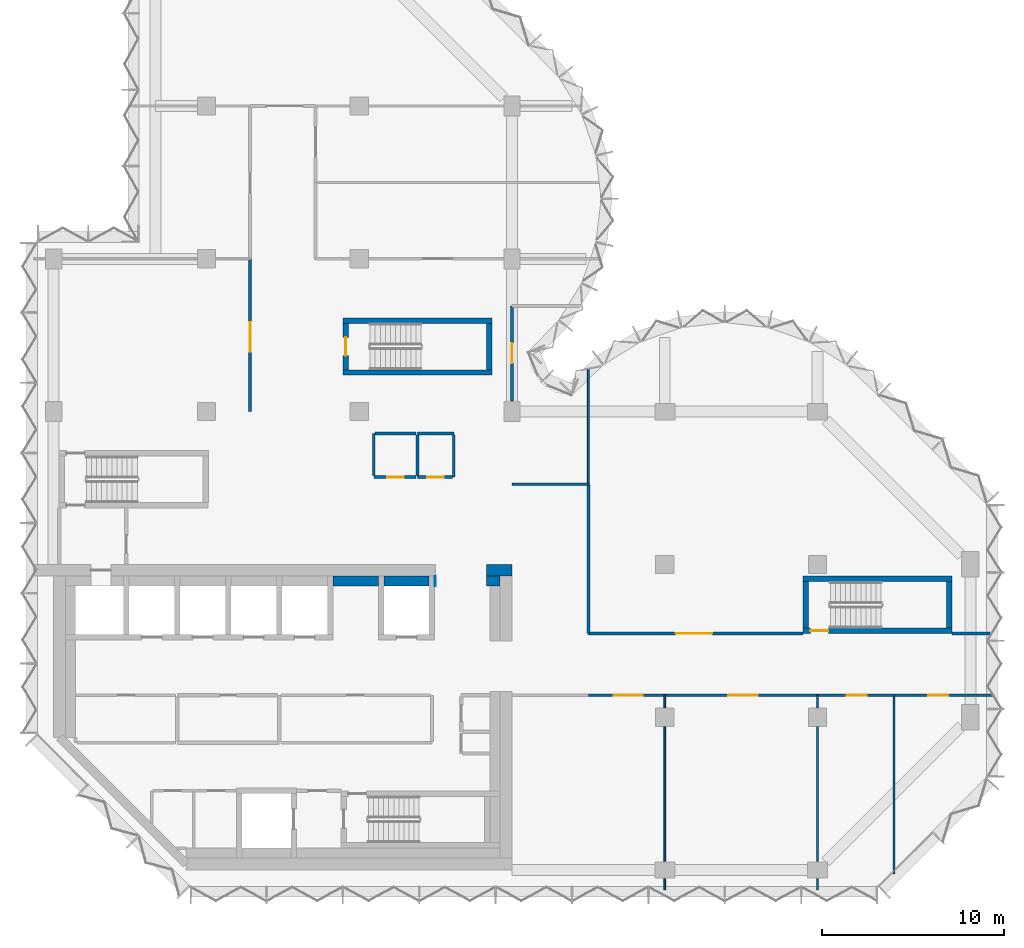
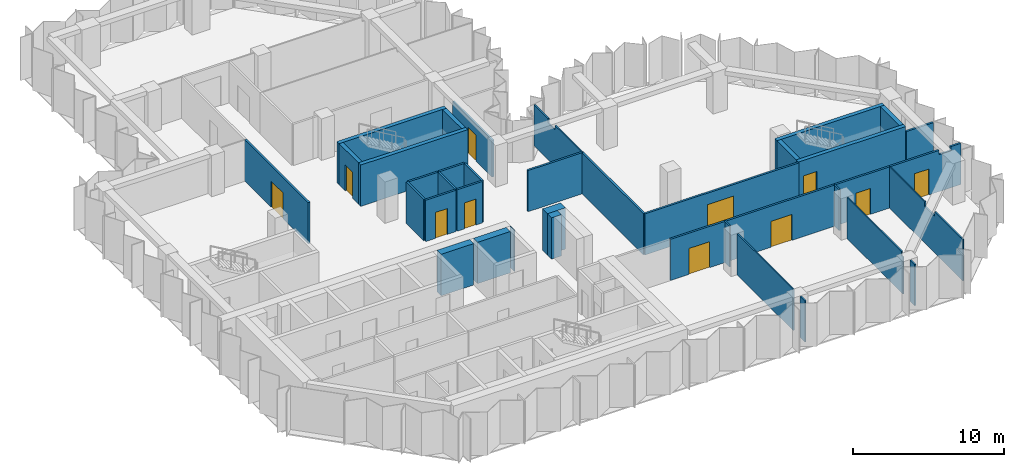
# One storey, part 6 of 9: 38 walls, 11 doors, 11 openings.
"""IFC4 building model written with IfcOpenShell, lengths in metres."""

from ifc_helpers import new_model, si_unit, direction, frame, frame_2d, origin, place, context, subcontext, project, spatial, polyline, rectangle, outline, extrude, material, layer, layer_set, type_object, element, fill, save


model = new_model("IFC4")

# Units and contexts
model_context = context("Model", 3, precision=1e-05, world=origin(), true_north=direction((0.0, 1.0)))
body_context = subcontext(model_context, "Body", "Model", "MODEL_VIEW")
ifc_project = project(units=[si_unit("LENGTHUNIT", "METRE"), si_unit("AREAUNIT", "SQUARE_METRE"), si_unit("VOLUMEUNIT", "CUBIC_METRE"), si_unit("PLANEANGLEUNIT", "RADIAN"), si_unit("MASSUNIT", "GRAM", prefix="KILO")], contexts=[model_context])

# Site, building, storey
site_placement = place(None, origin())
site = spatial("IfcSite", under=ifc_project, at=site_placement, CompositionType="ELEMENT")
building_placement = place(site_placement, origin())
building = spatial("IfcBuilding", under=site, at=building_placement, Name="Brevane Broadcast Tower", CompositionType="ELEMENT")
storey_placement = place(building_placement, frame((0.0, 0.0, 188.39990234375)))
storey = spatial("IfcBuildingStorey", under=building, at=storey_placement, Name="L47", CompositionType="ELEMENT", Elevation=188.39990234375)

# Walls
ifc_material_1 = material(Name="Concrete C32/40", Category="concrete")
ifc_layer_1 = layer(ifc_material_1, 0.550048828125)
ifc_layer_set_1 = layer_set([ifc_layer_1], Name="Core chase wall 550 mm")
wall_type_1 = type_object("IfcWallType", Name="Core chase wall 550 mm", PredefinedType="PARTITIONING", material=ifc_layer_set_1)
wall_1_placement = place(storey_placement, frame((23.800048828125, 15.875, 0.0), z_axis=(0.0, 0.0, 1.0), x_axis=(1.0, 0.0, 0.0)))
element("IfcWall", 1, at=wall_1_placement, inside=storey, type_object=wall_type_1, Name="L47 chase wall LN2", PredefinedType="PARTITIONING", context=body_context, shape_type="SweptSolid", body=[
    extrude(rectangle(XDim=0.75, YDim=0.550048828125, at=frame_2d((0.375, 0.0))), origin(), (0.0, 0.0, 1.0), 3.35009765625),
])
for number, where, z_axis, x_axis, name in (
    (2, (15.35009765625, 15.875, 0.0), (0.0, 0.0, 1.0), (1.0, 0.0, 0.0), "L47 chase wall LN1-2-2-2-2-2-1"),
    (3, (18.14990234375, 15.875, 0.0), (0.0, 0.0, 1.0), (1.0, 0.0, 0.0), "L47 chase wall LN1-2-2-2-2-2-2-1"),
):
    element("IfcWall", number, at=place(storey_placement, frame(where, z_axis=z_axis, x_axis=x_axis)), inside=storey, type_object=wall_type_1, Name=name, PredefinedType="PARTITIONING", context=body_context, shape_type="SweptSolid", body=[
        extrude(rectangle(XDim=2.5, YDim=0.550048828125, at=frame_2d((1.25, 0.0))), origin(), (0.0, 0.0, 1.0), 3.35009765625),
    ])
wall_2_placement = place(storey_placement, frame((20.949951171875, 15.875, 0.0), z_axis=(0.0, 0.0, 1.0), x_axis=(1.0, 0.0, 0.0)))
element("IfcWall", 4, at=wall_2_placement, inside=storey, type_object=wall_type_1, Name="L47 chase wall LN1-2-2-2-2-2-2-2", PredefinedType="PARTITIONING", context=body_context, shape_type="SweptSolid", body=[
    extrude(rectangle(XDim=0.050048828125, YDim=0.550048828125, at=frame_2d((0.02490234375, 0.0))), origin(), (0.0, 0.0, 1.0), 3.35009765625),
])
ifc_material_2 = material(Name="Gypsum board on steel studs", Category="steel")
ifc_layer_2 = layer(ifc_material_2, 0.14990234375)
ifc_layer_set_2 = layer_set([ifc_layer_2], Name="Core fire partition 150 mm")
wall_type_2 = type_object("IfcWallType", Name="Core fire partition 150 mm", PredefinedType="PARTITIONING", material=ifc_layer_set_2)
wall_3_placement = place(storey_placement, frame((20.0, 24.0, 0.0), z_axis=(0.0, 0.0, 1.0), x_axis=(1.0, 0.0, 0.0)))
element("IfcWall", 5, at=wall_3_placement, inside=storey, type_object=wall_type_2, Name="L47 partition wall P22", PredefinedType="PARTITIONING", context=body_context, shape_type="SweptSolid", body=[
    extrude(rectangle(XDim=2.0, YDim=0.14990234375, at=frame_2d((1.0, 0.0))), origin(), (0.0, 0.0, 1.0), 3.35009765625),
])
wall_4_placement = place(storey_placement, frame((22.0, 23.925048828125, 0.0), z_axis=(0.0, 0.0, 1.0), x_axis=(0.0, -1.0, 0.0)))
element("IfcWall", 6, at=wall_4_placement, inside=storey, type_object=wall_type_2, Name="L47 partition wall P23", PredefinedType="PARTITIONING", context=body_context, shape_type="SweptSolid", body=[
    extrude(rectangle(XDim=2.324951171875, YDim=0.14990234375, at=frame_2d((1.16259765625, 0.0))), origin(), (0.0, 0.0, 1.0), 3.35009765625),
])

# Wall, opening, door
wall_5_placement = place(storey_placement, frame((21.925048828125, 21.60009765625, 0.0), z_axis=(0.0, 0.0, 1.0), x_axis=(-1.0, 0.0, 0.0)))
wall_5 = element("IfcWall", 7, at=wall_5_placement, inside=storey, type_object=wall_type_2, Name="L47 partition wall P24", PredefinedType="PARTITIONING", context=body_context, shape_type="SweptSolid", body=[
    extrude(rectangle(XDim=1.925048828125, YDim=0.14990234375, at=frame_2d((0.96240234375, 0.0))), origin(), (0.0, 0.0, 1.0), 3.35009765625),
])
opening_1_placement = place(wall_5_placement, frame((0.47509765625, 0.0, 0.0)))
opening_1 = element("IfcOpeningElement", 8, at=opening_1_placement, cuts=wall_5, Name="Opening L47-K23", PredefinedType="OPENING", context=body_context, shape_type="SweptSolid", body=[
    extrude(rectangle(XDim=0.89990234375, YDim=2.10009765625, at=frame_2d((0.449951171875, 1.050048828125))), frame((0.0, 0.0849609375, 0.0), z_axis=(0.0, -1.0, 0.0), x_axis=(1.0, 0.0, 0.0)), (0.0, 0.0, 1.0), 0.169921875),
])
ifc_material_3 = material(Name="Timber", Category="wood")
door_type_1 = type_object("IfcDoorType", Name="Toilet door 900 x 2100", OperationType="SINGLE_SWING_LEFT", PredefinedType="DOOR", material=ifc_material_3)
door_1_placement = place(opening_1_placement, origin())
door_1 = element("IfcDoor", 9, at=door_1_placement, inside=storey, type_object=door_type_1, Name="Door L47-K23", OperationType="SINGLE_SWING_LEFT", OverallHeight=2.10009765625, OverallWidth=0.89990234375, PredefinedType="DOOR", context=body_context, shape_type="SweptSolid", body=[
    extrude(rectangle(XDim=0.89990234375, YDim=2.10009765625, at=frame_2d((0.449951171875, 1.050048828125))), frame((0.0, 0.02490234375, 0.0), z_axis=(0.0, -1.0, 0.0), x_axis=(1.0, 0.0, 0.0)), (0.0, 0.0, 1.0), 0.050048828125),
])
fill(opening_1, door_1)

# Wall
wall_6_placement = place(storey_placement, frame((20.0, 21.675048828125, 0.0), z_axis=(0.0, 0.0, 1.0), x_axis=(0.0, 1.0, 0.0)))
element("IfcWall", 10, at=wall_6_placement, inside=storey, type_object=wall_type_2, Name="L47 partition wall P25", PredefinedType="PARTITIONING", context=body_context, shape_type="SweptSolid", body=[
    extrude(rectangle(XDim=2.25, YDim=0.14990234375, at=frame_2d((1.125, 0.0))), origin(), (0.0, 0.0, 1.0), 3.35009765625),
])

# Wall, opening, door
wall_7_placement = place(storey_placement, frame((19.925048828125, 21.60009765625, 0.0), z_axis=(0.0, 0.0, 1.0), x_axis=(-1.0, 0.0, 0.0)))
wall_7 = element("IfcWall", 11, at=wall_7_placement, inside=storey, type_object=wall_type_2, Name="L47 partition wall P26", PredefinedType="PARTITIONING", context=body_context, shape_type="SweptSolid", body=[
    extrude(rectangle(XDim=2.324951171875, YDim=0.14990234375, at=frame_2d((1.16259765625, 0.0))), origin(), (0.0, 0.0, 1.0), 3.35009765625),
])
opening_2_placement = place(wall_7_placement, frame((0.675048828125, 0.0, 0.0)))
opening_2 = element("IfcOpeningElement", 12, at=opening_2_placement, cuts=wall_7, Name="Opening L47-K24", PredefinedType="OPENING", context=body_context, shape_type="SweptSolid", body=[
    extrude(rectangle(XDim=0.89990234375, YDim=2.10009765625, at=frame_2d((0.449951171875, 1.050048828125))), frame((0.0, 0.0849609375, 0.0), z_axis=(0.0, -1.0, 0.0), x_axis=(1.0, 0.0, 0.0)), (0.0, 0.0, 1.0), 0.169921875),
])
ifc_material_4 = material(Name="Steel", Category="steel")
door_type_2 = type_object("IfcDoorType", Name="Service room door 900 x 2100", OperationType="SINGLE_SWING_LEFT", PredefinedType="DOOR", material=ifc_material_4)
door_2_placement = place(opening_2_placement, origin())
door_2 = element("IfcDoor", 13, at=door_2_placement, inside=storey, type_object=door_type_2, Name="Door L47-K24", OperationType="SINGLE_SWING_RIGHT", OverallHeight=2.10009765625, OverallWidth=0.89990234375, PredefinedType="DOOR", context=body_context, shape_type="SweptSolid", body=[
    extrude(rectangle(XDim=0.89990234375, YDim=2.10009765625, at=frame_2d((0.449951171875, 1.050048828125))), frame((0.0, 0.02490234375, 0.0), z_axis=(0.0, -1.0, 0.0), x_axis=(1.0, 0.0, 0.0)), (0.0, 0.0, 1.0), 0.050048828125),
])
fill(opening_2, door_2)

# Walls
wall_8_placement = place(storey_placement, frame((17.60009765625, 21.675048828125, 0.0), z_axis=(0.0, 0.0, 1.0), x_axis=(0.0, 1.0, 0.0)))
element("IfcWall", 14, at=wall_8_placement, inside=storey, type_object=wall_type_2, Name="L47 partition wall P27", PredefinedType="PARTITIONING", context=body_context, shape_type="SweptSolid", body=[
    extrude(rectangle(XDim=2.324951171875, YDim=0.14990234375, at=frame_2d((1.16259765625, 0.0))), origin(), (0.0, 0.0, 1.0), 3.35009765625),
])
wall_9_placement = place(storey_placement, frame((17.675048828125, 24.0, 0.0), z_axis=(0.0, 0.0, 1.0), x_axis=(1.0, 0.0, 0.0)))
element("IfcWall", 15, at=wall_9_placement, inside=storey, type_object=wall_type_2, Name="L47 partition wall P28", PredefinedType="PARTITIONING", context=body_context, shape_type="SweptSolid", body=[
    extrude(rectangle(XDim=2.25, YDim=0.14990234375, at=frame_2d((1.125, 0.0))), origin(), (0.0, 0.0, 1.0), 3.35009765625),
])
ifc_material_5 = material(Name="Concrete C60/75", Category="concrete")
ifc_layer_3 = layer(ifc_material_5, 0.300048828125)
ifc_layer_set_3 = layer_set([ifc_layer_3], Name="Core wall 300 mm C60/75")
wall_type_3 = type_object("IfcWallType", Name="Core wall 300 mm C60/75", PredefinedType="SHEAR", material=ifc_layer_set_3)
for number, where, z_axis, x_axis, name in (
    (16, (15.89990234375, 27.35009765625, 0.0), (0.0, 0.0, 1.0), (1.0, 0.0, 0.0), "L47 stair wall ST-3-S"),
    (17, (15.89990234375, 30.199951171875, 0.0), (0.0, 0.0, 1.0), (1.0, 0.0, 0.0), "L47 stair wall ST-3-N"),
):
    element("IfcWall", number, at=place(storey_placement, frame(where, z_axis=z_axis, x_axis=x_axis)), inside=storey, type_object=wall_type_3, Name=name, PredefinedType="SHEAR", context=body_context, shape_type="SweptSolid", body=[
        extrude(rectangle(XDim=8.2001953125, YDim=0.300048828125, at=frame_2d((4.10009765625, 0.0))), origin(), (0.0, 0.0, 1.0), 3.35009765625),
    ])

# Wall, opening, door
wall_10_placement = place(storey_placement, frame((16.050048828125, 27.5, 0.0), z_axis=(0.0, 0.0, 1.0), x_axis=(0.0, 1.0, 0.0)))
wall_10 = element("IfcWall", 18, at=wall_10_placement, inside=storey, type_object=wall_type_3, Name="L47 stair wall ST-3-W", PredefinedType="SHEAR", context=body_context, shape_type="SweptSolid", body=[
    extrude(rectangle(XDim=2.550048828125, YDim=0.300048828125, at=frame_2d((1.27490234375, 0.0))), origin(), (0.0, 0.0, 1.0), 3.35009765625),
])
opening_3_placement = place(wall_10_placement, frame((0.77490234375, 0.0, 0.0)))
opening_3 = element("IfcOpeningElement", 19, at=opening_3_placement, cuts=wall_10, Name="Opening L47-K12", PredefinedType="OPENING", context=body_context, shape_type="SweptSolid", body=[
    extrude(rectangle(XDim=1.0, YDim=2.10009765625, at=frame_2d((0.5, 1.050048828125))), frame((0.0, 0.159912109375, 0.0), z_axis=(0.0, -1.0, 0.0), x_axis=(1.0, 0.0, 0.0)), (0.0, 0.0, 1.0), 0.320068359375),
])
door_type_3 = type_object("IfcDoorType", Name="Stair door 1000 x 2100", OperationType="SINGLE_SWING_LEFT", PredefinedType="DOOR", material=ifc_material_4)
door_3_placement = place(opening_3_placement, origin())
door_3 = element("IfcDoor", 20, at=door_3_placement, inside=storey, type_object=door_type_3, Name="Door L47-K12", OperationType="SINGLE_SWING_RIGHT", OverallHeight=2.10009765625, OverallWidth=1.0, PredefinedType="DOOR", context=body_context, shape_type="SweptSolid", body=[
    extrude(rectangle(XDim=1.0, YDim=2.10009765625, at=frame_2d((0.5, 1.050048828125))), frame((0.0, 0.02490234375, 0.0), z_axis=(0.0, -1.0, 0.0), x_axis=(1.0, 0.0, 0.0)), (0.0, 0.0, 1.0), 0.050048828125),
])
fill(opening_3, door_3)

# Wall
wall_11_placement = place(storey_placement, frame((23.949951171875, 27.5, 0.0), z_axis=(0.0, 0.0, 1.0), x_axis=(0.0, 1.0, 0.0)))
element("IfcWall", 21, at=wall_11_placement, inside=storey, type_object=wall_type_3, Name="L47 stair wall ST-3-E", PredefinedType="SHEAR", context=body_context, shape_type="SweptSolid", body=[
    extrude(rectangle(XDim=2.550048828125, YDim=0.300048828125, at=frame_2d((1.27490234375, 0.0))), origin(), (0.0, 0.0, 1.0), 3.35009765625),
])

# Wall, opening, door
wall_12_placement = place(storey_placement, frame((49.39990234375, 13.14990234375, 0.0), z_axis=(0.0, 0.0, 1.0), x_axis=(-1.0, 0.0, 0.0)))
wall_12 = element("IfcWall", 22, at=wall_12_placement, inside=storey, type_object=wall_type_3, Name="L47 stair wall ST-4-S", PredefinedType="SHEAR", context=body_context, shape_type="SweptSolid", body=[
    extrude(rectangle(XDim=8.199951171875, YDim=0.300048828125, at=frame_2d((4.10009765625, 0.0))), origin(), (0.0, 0.0, 1.0), 3.35009765625),
])
opening_4_placement = place(wall_12_placement, frame((6.800048828125, 0.0, 0.0)))
opening_4 = element("IfcOpeningElement", 23, at=opening_4_placement, cuts=wall_12, Name="Opening L47-K13", PredefinedType="OPENING", context=body_context, shape_type="SweptSolid", body=[
    extrude(rectangle(XDim=1.0, YDim=2.10009765625, at=frame_2d((0.5, 1.050048828125))), frame((0.0, 0.159912109375, 0.0), z_axis=(0.0, -1.0, 0.0), x_axis=(1.0, 0.0, 0.0)), (0.0, 0.0, 1.0), 0.320068359375),
])
door_4_placement = place(opening_4_placement, origin())
door_4 = element("IfcDoor", 24, at=door_4_placement, inside=storey, type_object=door_type_3, Name="Door L47-K13", OperationType="SINGLE_SWING_LEFT", OverallHeight=2.10009765625, OverallWidth=1.0, PredefinedType="DOOR", context=body_context, shape_type="SweptSolid", body=[
    extrude(rectangle(XDim=1.0, YDim=2.10009765625, at=frame_2d((0.5, 1.050048828125))), frame((0.0, 0.02490234375, 0.0), z_axis=(0.0, -1.0, 0.0), x_axis=(1.0, 0.0, 0.0)), (0.0, 0.0, 1.0), 0.050048828125),
])
fill(opening_4, door_4)

# Walls
wall_13_placement = place(storey_placement, frame((41.199951171875, 16.0, 0.0), z_axis=(0.0, 0.0, 1.0), x_axis=(1.0, 0.0, 0.0)))
element("IfcWall", 25, at=wall_13_placement, inside=storey, type_object=wall_type_3, Name="L47 stair wall ST-4-N", PredefinedType="SHEAR", context=body_context, shape_type="SweptSolid", body=[
    extrude(rectangle(XDim=8.199951171875, YDim=0.300048828125, at=frame_2d((4.10009765625, 0.0))), origin(), (0.0, 0.0, 1.0), 3.35009765625),
])
for number, where, z_axis, x_axis, name in (
    (26, (41.35009765625, 13.300048828125, 0.0), (0.0, 0.0, 1.0), (0.0, 1.0, 0.0), "L47 stair wall ST-4-W"),
    (27, (49.25, 13.300048828125, 0.0), (0.0, 0.0, 1.0), (0.0, 1.0, 0.0), "L47 stair wall ST-4-E"),
):
    element("IfcWall", number, at=place(storey_placement, frame(where, z_axis=z_axis, x_axis=x_axis)), inside=storey, type_object=wall_type_3, Name=name, PredefinedType="SHEAR", context=body_context, shape_type="SweptSolid", body=[
        extrude(rectangle(XDim=2.550048828125, YDim=0.300048828125, at=frame_2d((1.27490234375, 0.0))), origin(), (0.0, 0.0, 1.0), 3.35009765625),
    ])
ifc_layer_4 = layer(ifc_material_5, 0.64990234375)
ifc_layer_set_4 = layer_set([ifc_layer_4], Name="Core wall 650 mm C60/75")
wall_type_4 = type_object("IfcWallType", Name="Core wall 650 mm C60/75", PredefinedType="SHEAR", material=ifc_layer_set_4)
wall_14_placement = place(storey_placement, frame((23.800048828125, 16.47509765625, 0.0), z_axis=(0.0, 0.0, 1.0), x_axis=(1.0, 0.0, 0.0)))
element("IfcWall", 28, at=wall_14_placement, inside=storey, type_object=wall_type_4, Name="L47 outer wall WN2", PredefinedType="SHEAR", context=body_context, shape_type="SweptSolid", body=[
    extrude(rectangle(XDim=1.39990234375, YDim=0.64990234375, at=frame_2d((0.699951171875, 0.0))), origin(), (0.0, 0.0, 1.0), 3.35009765625),
])
ifc_material_6 = material(Name="Gypsum board partition")
ifc_layer_5 = layer(ifc_material_6, 0.10009765625)
ifc_layer_set_5 = layer_set([ifc_layer_5], Name="PARTITION 100 STUD")
wall_type_5 = type_object("IfcWallType", Name="PARTITION 100 STUD", PredefinedType="PARTITIONING", material=ifc_layer_set_5)
wall_15_placement = place(storey_placement, frame((29.39990234375, 27.510986328125, 0.0), z_axis=(0.0, 0.0, 1.0), x_axis=(0.0, -1.0, 0.0)))
element("IfcWall", 29, at=wall_15_placement, inside=storey, type_object=wall_type_5, Name="Partition G14-004", PredefinedType="PARTITIONING", context=body_context, shape_type="SweptSolid", body=[
    extrude(outline(polyline([(0.0, 0.0), (6.31103515625, 0.0), (6.31103515625, 3.330078125), (2.760986328125, 3.330078125), (2.759033203125, 2.97998046875), (1.863037109375, 2.97998046875), (1.861083984375, 3.330078125), (0.236083984375, 3.330078125), (0.0, 3.330078125), (0.0, 0.0)])), frame((0.0, 0.050048828125, 0.0), z_axis=(0.0, -1.0, 0.0), x_axis=(1.0, 0.0, 0.0)), (0.0, 0.0, 1.0), 0.10009765625),
])
wall_16_placement = place(storey_placement, frame((33.60009765625, 9.60009765625, 0.0), z_axis=(0.0, 0.0, 1.0), x_axis=(0.0, -1.0, 0.0)))
element("IfcWall", 30, at=wall_16_placement, inside=storey, type_object=wall_type_5, Name="Partition G14-013", PredefinedType="PARTITIONING", context=body_context, shape_type="SweptSolid", body=[
    extrude(rectangle(XDim=0.68017578125, YDim=0.10009765625, at=frame_2d((0.340087890625, 0.0))), origin(), (0.0, 0.0, 1.0), 3.330078125),
])
wall_17_placement = place(storey_placement, frame((33.60009765625, 7.8798828125, 0.0), z_axis=(0.0, 0.0, 1.0), x_axis=(0.0, -1.0, 0.0)))
element("IfcWall", 31, at=wall_17_placement, inside=storey, type_object=wall_type_5, Name="Partition G14-014", PredefinedType="PARTITIONING", context=body_context, shape_type="SweptSolid", body=[
    extrude(rectangle(XDim=7.409912109375, YDim=0.10009765625, at=frame_2d((3.705078125, 0.0))), origin(), (0.0, 0.0, 1.0), 3.330078125),
])
wall_18_placement = place(storey_placement, frame((33.60009765625, -0.469970703125, 0.0), z_axis=(0.0, 0.0, 1.0), x_axis=(0.0, -1.0, 0.0)))
element("IfcWall", 32, at=wall_18_placement, inside=storey, type_object=wall_type_5, Name="Partition G14-015", PredefinedType="PARTITIONING", context=body_context, shape_type="SweptSolid", body=[
    extrude(rectangle(XDim=0.630126953125, YDim=0.10009765625, at=frame_2d((0.31494140625, 0.0))), origin(), (0.0, 0.0, 1.0), 3.330078125),
])
wall_19_placement = place(storey_placement, frame((42.0, 9.60009765625, 0.0), z_axis=(0.0, 0.0, 1.0), x_axis=(0.0, -1.0, 0.0)))
element("IfcWall", 33, at=wall_19_placement, inside=storey, type_object=wall_type_5, Name="Partition G14-016", PredefinedType="PARTITIONING", context=body_context, shape_type="SweptSolid", body=[
    extrude(rectangle(XDim=0.68017578125, YDim=0.10009765625, at=frame_2d((0.340087890625, 0.0))), origin(), (0.0, 0.0, 1.0), 3.330078125),
])
wall_20_placement = place(storey_placement, frame((42.0, 7.8798828125, 0.0), z_axis=(0.0, 0.0, 1.0), x_axis=(0.0, -1.0, 0.0)))
element("IfcWall", 34, at=wall_20_placement, inside=storey, type_object=wall_type_5, Name="Partition G14-017", PredefinedType="PARTITIONING", context=body_context, shape_type="SweptSolid", body=[
    extrude(outline(polyline([(0.0, 0.0), (7.409912109375, 0.0), (7.409912109375, 2.97998046875), (7.21630859375, 2.97998046875), (7.21435546875, 3.330078125), (0.0, 3.330078125), (0.0, 0.0)])), frame((0.0, 0.050048828125, 0.0), z_axis=(0.0, -1.0, 0.0), x_axis=(1.0, 0.0, 0.0)), (0.0, 0.0, 1.0), 0.10009765625),
])
wall_21_placement = place(storey_placement, frame((42.0, -0.469970703125, 0.0), z_axis=(0.0, 0.0, 1.0), x_axis=(0.0, -1.0, 0.0)))
element("IfcWall", 35, at=wall_21_placement, inside=storey, type_object=wall_type_5, Name="Partition G14-018", PredefinedType="PARTITIONING", context=body_context, shape_type="SweptSolid", body=[
    extrude(rectangle(XDim=0.630126953125, YDim=0.10009765625, at=frame_2d((0.31494140625, 0.0))), origin(), (0.0, 0.0, 1.0), 3.330078125),
])
wall_22_placement = place(storey_placement, frame((46.199951171875, 9.60009765625, 0.0), z_axis=(0.0, 0.0, 1.0), x_axis=(0.0, -1.0, 0.0)))
element("IfcWall", 36, at=wall_22_placement, inside=storey, type_object=wall_type_5, Name="Partition G14-019", PredefinedType="PARTITIONING", context=body_context, shape_type="SweptSolid", body=[
    extrude(outline(polyline([(0.0, 0.0), (9.800048828125, 0.0), (9.800048828125, 3.330078125), (6.065673828125, 3.330078125), (6.063720703125, 2.97998046875), (4.736328125, 2.97998046875), (4.734375, 3.330078125), (0.0, 3.330078125), (0.0, 0.0)])), frame((0.0, 0.050048828125, 0.0), z_axis=(0.0, -1.0, 0.0), x_axis=(1.0, 0.0, 0.0)), (0.0, 0.0, 1.0), 0.10009765625),
])
ifc_layer_6 = layer(ifc_material_6, 0.14990234375)
ifc_layer_set_6 = layer_set([ifc_layer_6], Name="PARTITION 150 EI 60")
wall_type_6 = type_object("IfcWallType", Name="PARTITION 150 EI 60", PredefinedType="PARTITIONING", material=ifc_layer_set_6)
wall_23_placement = place(storey_placement, frame((25.199951171875, 21.199951171875, 0.0), z_axis=(0.0, 0.0, 1.0), x_axis=(1.0, 0.0, 0.0)))
element("IfcWall", 37, at=wall_23_placement, inside=storey, type_object=wall_type_6, Name="Partition G14-001", PredefinedType="PARTITIONING", context=body_context, shape_type="SweptSolid", body=[
    extrude(rectangle(XDim=4.199951171875, YDim=0.14990234375, at=frame_2d((2.10009765625, 0.0))), origin(), (0.0, 0.0, 1.0), 3.330078125),
])
wall_24_placement = place(storey_placement, frame((29.39990234375, 21.199951171875, 0.0), z_axis=(0.0, 0.0, 1.0), x_axis=(0.0, -1.0, 0.0)))
element("IfcWall", 38, at=wall_24_placement, inside=storey, type_object=wall_type_6, Name="Partition G14-003", PredefinedType="PARTITIONING", context=body_context, shape_type="SweptSolid", body=[
    extrude(rectangle(XDim=8.199951171875, YDim=0.14990234375, at=frame_2d((4.10009765625, 0.0))), origin(), (0.0, 0.0, 1.0), 3.330078125),
])

# Wall, opening, door
wall_25_placement = place(storey_placement, frame((25.199951171875, 31.0, 0.0), z_axis=(0.0, 0.0, 1.0), x_axis=(0.0, -1.0, 0.0)))
wall_25 = element("IfcWall", 39, at=wall_25_placement, inside=storey, type_object=wall_type_6, Name="Partition G14-005", PredefinedType="PARTITIONING", context=body_context, shape_type="SweptSolid", body=[
    extrude(outline(polyline([(0.0, 0.0), (5.22998046875, 0.0), (5.22998046875, 2.97998046875), (0.0, 2.97998046875), (0.0, 0.0)])), frame((0.0, 0.074951171875, 0.0), z_axis=(0.0, -1.0, 0.0), x_axis=(1.0, 0.0, 0.0)), (0.0, 0.0, 1.0), 0.14990234375),
])
opening_5_placement = place(wall_25_placement, frame((2.030029296875, 0.0, 0.0)))
opening_5 = element("IfcOpeningElement", 40, at=opening_5_placement, cuts=wall_25, Name="Opening D23-001", PredefinedType="OPENING", context=body_context, shape_type="SweptSolid", body=[
    extrude(rectangle(XDim=1.10009765625, YDim=2.10009765625, at=frame_2d((0.550048828125, 1.050048828125))), frame((0.0, 0.0849609375, 0.0), z_axis=(0.0, -1.0, 0.0), x_axis=(1.0, 0.0, 0.0)), (0.0, 0.0, 1.0), 0.169921875),
])
ifc_material_7 = material(Name="Fire-rated timber door leaf", Category="wood")
door_type_4 = type_object("IfcDoorType", Name="DOOR SINGLE 1100 FD30S", OperationType="SINGLE_SWING_LEFT", PredefinedType="DOOR", material=ifc_material_7)
door_5_placement = place(opening_5_placement, origin())
door_5 = element("IfcDoor", 41, at=door_5_placement, inside=storey, type_object=door_type_4, Name="Door D23-001", OperationType="SINGLE_SWING_RIGHT", OverallHeight=2.10009765625, OverallWidth=1.10009765625, PredefinedType="DOOR", context=body_context, shape_type="SweptSolid", body=[
    extrude(rectangle(XDim=1.10009765625, YDim=2.10009765625, at=frame_2d((0.550048828125, 1.050048828125))), frame((0.0, 0.02490234375, 0.0), z_axis=(0.0, -1.0, 0.0), x_axis=(1.0, 0.0, 0.0)), (0.0, 0.0, 1.0), 0.050048828125),
])
fill(opening_5, door_5)

wall_26_placement = place(storey_placement, frame((33.60009765625, 9.60009765625, 0.0), z_axis=(0.0, 0.0, 1.0), x_axis=(-1.0, 0.0, 0.0)))
wall_26 = element("IfcWall", 42, at=wall_26_placement, inside=storey, type_object=wall_type_6, Name="Partition G14-007", PredefinedType="PARTITIONING", context=body_context, shape_type="SweptSolid", body=[
    extrude(rectangle(XDim=4.2001953125, YDim=0.14990234375, at=frame_2d((2.10009765625, 0.0))), origin(), (0.0, 0.0, 1.0), 3.330078125),
])
opening_6_placement = place(wall_26_placement, frame((1.199951171875, 0.0, 0.0)))
opening_6 = element("IfcOpeningElement", 43, at=opening_6_placement, cuts=wall_26, Name="Opening D23-002", PredefinedType="OPENING", context=body_context, shape_type="SweptSolid", body=[
    extrude(rectangle(XDim=1.60009765625, YDim=2.10009765625, at=frame_2d((0.800048828125, 1.050048828125))), frame((0.0, 0.0849609375, 0.0), z_axis=(0.0, -1.0, 0.0), x_axis=(1.0, 0.0, 0.0)), (0.0, 0.0, 1.0), 0.169921875),
])
door_type_5 = type_object("IfcDoorType", Name="DOOR DOUBLE 1600 FD30S", OperationType="DOUBLE_DOOR_SINGLE_SWING", PredefinedType="DOOR", material=ifc_material_7)
door_6_placement = place(opening_6_placement, origin())
door_6 = element("IfcDoor", 44, at=door_6_placement, inside=storey, type_object=door_type_5, Name="Door D23-002", OperationType="DOUBLE_DOOR_SINGLE_SWING", OverallHeight=2.10009765625, OverallWidth=1.60009765625, PredefinedType="DOOR", context=body_context, shape_type="SweptSolid", body=[
    extrude(rectangle(XDim=1.60009765625, YDim=2.10009765625, at=frame_2d((0.800048828125, 1.050048828125))), frame((0.0, 0.02490234375, 0.0), z_axis=(0.0, -1.0, 0.0), x_axis=(1.0, 0.0, 0.0)), (0.0, 0.0, 1.0), 0.050048828125),
])
fill(opening_6, door_6)

wall_27_placement = place(storey_placement, frame((42.0, 9.60009765625, 0.0), z_axis=(0.0, 0.0, 1.0), x_axis=(-1.0, 0.0, 0.0)))
wall_27 = element("IfcWall", 45, at=wall_27_placement, inside=storey, type_object=wall_type_6, Name="Partition G14-008", PredefinedType="PARTITIONING", context=body_context, shape_type="SweptSolid", body=[
    extrude(rectangle(XDim=8.39990234375, YDim=0.14990234375, at=frame_2d((4.199951171875, 0.0))), origin(), (0.0, 0.0, 1.0), 3.330078125),
])
opening_7_placement = place(wall_27_placement, frame((3.300048828125, 0.0, 0.0)))
opening_7 = element("IfcOpeningElement", 46, at=opening_7_placement, cuts=wall_27, Name="Opening D23-003", PredefinedType="OPENING", context=body_context, shape_type="SweptSolid", body=[
    extrude(rectangle(XDim=1.60009765625, YDim=2.10009765625, at=frame_2d((0.800048828125, 1.050048828125))), frame((0.0, 0.0849609375, 0.0), z_axis=(0.0, -1.0, 0.0), x_axis=(1.0, 0.0, 0.0)), (0.0, 0.0, 1.0), 0.169921875),
])
door_7_placement = place(opening_7_placement, origin())
door_7 = element("IfcDoor", 47, at=door_7_placement, inside=storey, type_object=door_type_5, Name="Door D23-003", OperationType="DOUBLE_DOOR_SINGLE_SWING", OverallHeight=2.10009765625, OverallWidth=1.60009765625, PredefinedType="DOOR", context=body_context, shape_type="SweptSolid", body=[
    extrude(rectangle(XDim=1.60009765625, YDim=2.10009765625, at=frame_2d((0.800048828125, 1.050048828125))), frame((0.0, 0.02490234375, 0.0), z_axis=(0.0, -1.0, 0.0), x_axis=(1.0, 0.0, 0.0)), (0.0, 0.0, 1.0), 0.050048828125),
])
fill(opening_7, door_7)

wall_28_placement = place(storey_placement, frame((46.199951171875, 9.60009765625, 0.0), z_axis=(0.0, 0.0, 1.0), x_axis=(-1.0, 0.0, 0.0)))
wall_28 = element("IfcWall", 48, at=wall_28_placement, inside=storey, type_object=wall_type_6, Name="Partition G14-009", PredefinedType="PARTITIONING", context=body_context, shape_type="SweptSolid", body=[
    extrude(rectangle(XDim=4.199951171875, YDim=0.14990234375, at=frame_2d((2.10009765625, 0.0))), origin(), (0.0, 0.0, 1.0), 3.330078125),
])
opening_8_placement = place(wall_28_placement, frame((1.5, 0.0, 0.0)))
opening_8 = element("IfcOpeningElement", 49, at=opening_8_placement, cuts=wall_28, Name="Opening D23-004", PredefinedType="OPENING", context=body_context, shape_type="SweptSolid", body=[
    extrude(rectangle(XDim=1.10009765625, YDim=2.10009765625, at=frame_2d((0.550048828125, 1.050048828125))), frame((0.0, 0.0849609375, 0.0), z_axis=(0.0, -1.0, 0.0), x_axis=(1.0, 0.0, 0.0)), (0.0, 0.0, 1.0), 0.169921875),
])
door_8_placement = place(opening_8_placement, origin())
door_8 = element("IfcDoor", 50, at=door_8_placement, inside=storey, type_object=door_type_4, Name="Door D23-004", OperationType="SINGLE_SWING_LEFT", OverallHeight=2.10009765625, OverallWidth=1.10009765625, PredefinedType="DOOR", context=body_context, shape_type="SweptSolid", body=[
    extrude(rectangle(XDim=1.10009765625, YDim=2.10009765625, at=frame_2d((0.550048828125, 1.050048828125))), frame((0.0, 0.02490234375, 0.0), z_axis=(0.0, -1.0, 0.0), x_axis=(1.0, 0.0, 0.0)), (0.0, 0.0, 1.0), 0.050048828125),
])
fill(opening_8, door_8)

wall_29_placement = place(storey_placement, frame((51.607177734375, 9.60009765625, 0.0), z_axis=(0.0, 0.0, 1.0), x_axis=(-1.0, 0.0, 0.0)))
wall_29 = element("IfcWall", 51, at=wall_29_placement, inside=storey, type_object=wall_type_6, Name="Partition G14-010", PredefinedType="PARTITIONING", context=body_context, shape_type="SweptSolid", body=[
    extrude(outline(polyline([(0.0, 0.0), (5.4072265625, 0.0), (5.406982421875, 3.330078125), (1.656982421875, 3.330078125), (1.655029296875, 2.97998046875), (0.759033203125, 2.97998046875), (0.757080078125, 3.330078125), (0.127197265625, 3.330078125), (0.0, 3.330078125), (0.0, 0.0)])), frame((0.0, 0.074951171875, 0.0), z_axis=(0.0, -1.0, 0.0), x_axis=(1.0, 0.0, 0.0)), (0.0, 0.0, 1.0), 0.14990234375),
])
opening_9_placement = place(wall_29_placement, frame((2.427001953125, 0.0, 0.0)))
opening_9 = element("IfcOpeningElement", 52, at=opening_9_placement, cuts=wall_29, Name="Opening D23-005", PredefinedType="OPENING", context=body_context, shape_type="SweptSolid", body=[
    extrude(rectangle(XDim=1.10009765625, YDim=2.10009765625, at=frame_2d((0.550048828125, 1.050048828125))), frame((0.0, 0.0849609375, 0.0), z_axis=(0.0, -1.0, 0.0), x_axis=(1.0, 0.0, 0.0)), (0.0, 0.0, 1.0), 0.169921875),
])
door_9_placement = place(opening_9_placement, origin())
door_9 = element("IfcDoor", 53, at=door_9_placement, inside=storey, type_object=door_type_4, Name="Door D23-005", OperationType="SINGLE_SWING_LEFT", OverallHeight=2.10009765625, OverallWidth=1.10009765625, PredefinedType="DOOR", context=body_context, shape_type="SweptSolid", body=[
    extrude(rectangle(XDim=1.10009765625, YDim=2.10009765625, at=frame_2d((0.550048828125, 1.050048828125))), frame((0.0, 0.02490234375, 0.0), z_axis=(0.0, -1.0, 0.0), x_axis=(1.0, 0.0, 0.0)), (0.0, 0.0, 1.0), 0.050048828125),
])
fill(opening_9, door_9)

wall_30_placement = place(storey_placement, frame((29.39990234375, 13.0, 0.0), z_axis=(0.0, 0.0, 1.0), x_axis=(1.0, 0.0, 0.0)))
wall_30 = element("IfcWall", 54, at=wall_30_placement, inside=storey, type_object=wall_type_6, Name="Partition G14-011", PredefinedType="PARTITIONING", context=body_context, shape_type="SweptSolid", body=[
    extrude(rectangle(XDim=11.800048828125, YDim=0.14990234375, at=frame_2d((5.89990234375, 0.0))), origin(), (0.0, 0.0, 1.0), 3.330078125),
])
opening_10_placement = place(wall_30_placement, frame((4.800048828125, 0.0, 0.0)))
opening_10 = element("IfcOpeningElement", 55, at=opening_10_placement, cuts=wall_30, Name="Opening D23-006", PredefinedType="OPENING", context=body_context, shape_type="SweptSolid", body=[
    extrude(rectangle(XDim=2.0, YDim=2.39990234375, at=frame_2d((1.0, 1.199951171875))), frame((0.0, 0.0849609375, 0.0), z_axis=(0.0, -1.0, 0.0), x_axis=(1.0, 0.0, 0.0)), (0.0, 0.0, 1.0), 0.169921875),
])
door_type_6 = type_object("IfcDoorType", Name="DOOR DOUBLE 2000 FD30S", OperationType="DOUBLE_DOOR_SINGLE_SWING", PredefinedType="DOOR", material=ifc_material_7)
door_10_placement = place(opening_10_placement, origin())
door_10 = element("IfcDoor", 56, at=door_10_placement, inside=storey, type_object=door_type_6, Name="Door D23-006", OperationType="DOUBLE_DOOR_SINGLE_SWING", OverallHeight=2.39990234375, OverallWidth=2.0, PredefinedType="DOOR", context=body_context, shape_type="SweptSolid", body=[
    extrude(rectangle(XDim=2.0, YDim=2.39990234375, at=frame_2d((1.0, 1.199951171875))), frame((0.0, 0.02490234375, 0.0), z_axis=(0.0, -1.0, 0.0), x_axis=(1.0, 0.0, 0.0)), (0.0, 0.0, 1.0), 0.050048828125),
])
fill(opening_10, door_10)

# Wall
wall_31_placement = place(storey_placement, frame((49.39990234375, 13.0, 0.0), z_axis=(0.0, 0.0, 1.0), x_axis=(1.0, 0.0, 0.0)))
element("IfcWall", 57, at=wall_31_placement, inside=storey, type_object=wall_type_6, Name="Partition G14-012", PredefinedType="PARTITIONING", context=body_context, shape_type="SweptSolid", body=[
    extrude(rectangle(XDim=2.080078125, YDim=0.14990234375, at=frame_2d((1.0400390625, 0.0))), origin(), (0.0, 0.0, 1.0), 2.97998046875),
])

# Wall, opening, door
wall_32_placement = place(storey_placement, frame((10.800048828125, 25.199951171875, 0.0), z_axis=(0.0, 0.0, 1.0), x_axis=(0.0, 1.0, 0.0)))
wall_32 = element("IfcWall", 58, at=wall_32_placement, inside=storey, type_object=wall_type_6, Name="Partition G14-020", PredefinedType="PARTITIONING", context=body_context, shape_type="SweptSolid", body=[
    extrude(rectangle(XDim=8.400146484375, YDim=0.14990234375, at=frame_2d((4.2001953125, 0.0))), origin(), (0.0, 0.0, 1.0), 3.330078125),
])
opening_11_placement = place(wall_32_placement, frame((3.300048828125, 0.0, 0.0)))
opening_11 = element("IfcOpeningElement", 59, at=opening_11_placement, cuts=wall_32, Name="Opening D23-008", PredefinedType="OPENING", context=body_context, shape_type="SweptSolid", body=[
    extrude(rectangle(XDim=1.60009765625, YDim=2.10009765625, at=frame_2d((0.800048828125, 1.050048828125))), frame((0.0, 0.0849609375, 0.0), z_axis=(0.0, -1.0, 0.0), x_axis=(1.0, 0.0, 0.0)), (0.0, 0.0, 1.0), 0.169921875),
])
door_11_placement = place(opening_11_placement, origin())
door_11 = element("IfcDoor", 60, at=door_11_placement, inside=storey, type_object=door_type_5, Name="Door D23-008", OperationType="DOUBLE_DOOR_SINGLE_SWING", OverallHeight=2.10009765625, OverallWidth=1.60009765625, PredefinedType="DOOR", context=body_context, shape_type="SweptSolid", body=[
    extrude(rectangle(XDim=1.60009765625, YDim=2.10009765625, at=frame_2d((0.800048828125, 1.050048828125))), frame((0.0, 0.02490234375, 0.0), z_axis=(0.0, -1.0, 0.0), x_axis=(1.0, 0.0, 0.0)), (0.0, 0.0, 1.0), 0.050048828125),
])
fill(opening_11, door_11)

save(model, "model.ifc")
